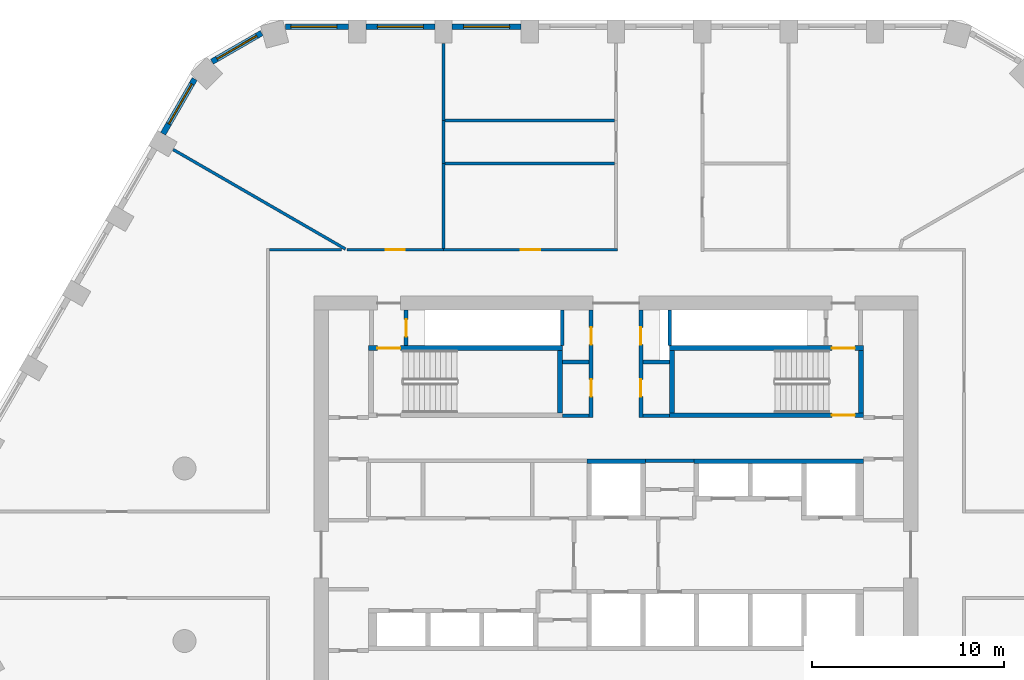
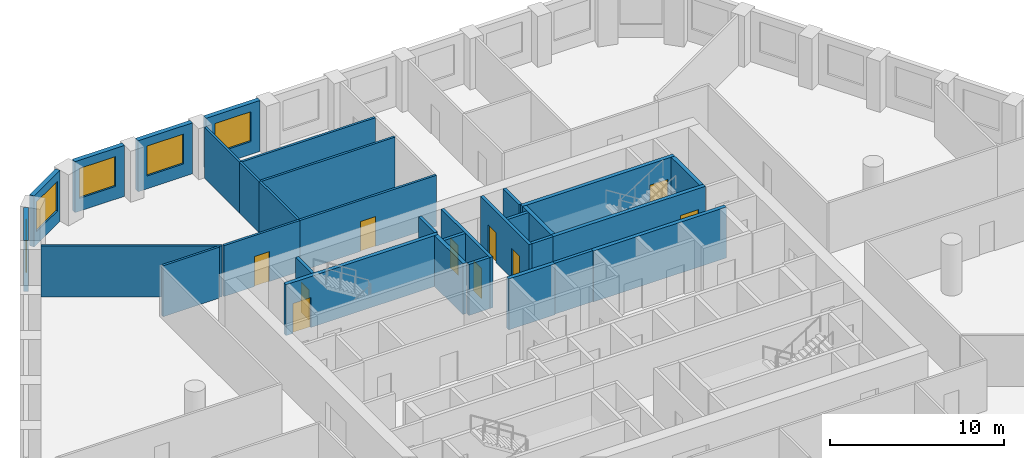
# One storey, part 6 of 9: 32 walls, 10 doors, 5 windows, 15 openings.
"""IFC4 building model written with IfcOpenShell, lengths in metres."""

from ifc_helpers import new_model, si_unit, direction, frame, frame_2d, origin, place, context, subcontext, project, spatial, polyline, rectangle, outline, extrude, material, layer, layer_set, type_object, element, fill, save


model = new_model("IFC4")

# Units and contexts
model_context = context("Model", 3, precision=1e-05, world=origin(), true_north=direction((0.0, 1.0)))
body_context = subcontext(model_context, "Body", "Model", "MODEL_VIEW")
ifc_project = project(units=[si_unit("LENGTHUNIT", "METRE"), si_unit("AREAUNIT", "SQUARE_METRE"), si_unit("VOLUMEUNIT", "CUBIC_METRE"), si_unit("PLANEANGLEUNIT", "RADIAN"), si_unit("MASSUNIT", "GRAM", prefix="KILO")], contexts=[model_context])

# Site, building, storey
site_placement = place(None, origin())
site = spatial("IfcSite", under=ifc_project, at=site_placement, CompositionType="ELEMENT")
building_placement = place(site_placement, origin())
building = spatial("IfcBuilding", under=site, at=building_placement, Name="Dhurran Vertical Campus", CompositionType="ELEMENT")
storey_placement = place(building_placement, frame((0.0, 0.0, 163.800048828125)))
storey = spatial("IfcBuildingStorey", under=building, at=storey_placement, Name="L40", CompositionType="ELEMENT", Elevation=163.800048828125)

# Wall, opening, window
ifc_material_1 = material(Name="Precast concrete C50/60", Category="concrete")
ifc_layer_1 = layer(ifc_material_1, 0.300048828125)
ifc_layer_set_1 = layer_set([ifc_layer_1], Name="Precast concrete C50/60")
wall_type_1 = type_object("IfcWallType", Name="Precast spandrel wall 300", PredefinedType="SOLIDWALL", material=ifc_layer_set_1)
wall_1_placement = place(storey_placement, frame((-4.950439453125, 27.53271484375, 0.0), z_axis=(0.0, 0.0, 1.0), x_axis=(-1.0, 0.0, 0.0)))
wall_1 = element("IfcWall", 1, at=wall_1_placement, inside=storey, type_object=wall_type_1, Name="EW1 L40.28", PredefinedType="SOLIDWALL", context=body_context, shape_type="SweptSolid", body=[
    extrude(rectangle(XDim=3.59912109375, YDim=0.300048828125, at=frame_2d((1.799560546875, 0.0))), origin(), (0.0, 0.0, 1.0), 3.574951171875),
])
opening_1_placement = place(wall_1_placement, frame((0.599609375, 0.0, 0.89990234375)))
opening_1 = element("IfcOpeningElement", 2, at=opening_1_placement, cuts=wall_1, Name="Opening WT1", PredefinedType="OPENING", context=body_context, shape_type="SweptSolid", body=[
    extrude(rectangle(XDim=2.39990234375, YDim=2.10009765625, at=frame_2d((1.199951171875, 1.050048828125))), frame((0.0, 0.159912109375, 0.0), z_axis=(0.0, -1.0, 0.0), x_axis=(1.0, 0.0, 0.0)), (0.0, 0.0, 1.0), 0.320068359375),
])
ifc_material_2 = material(Name="Aluminium frame with solar-control glass", Category="aluminium")
window_type = type_object("IfcWindowType", Name="Punched window 2400 x 2100", PartitioningType="SINGLE_PANEL", PredefinedType="WINDOW", material=ifc_material_2)
window_1_placement = place(opening_1_placement, origin())
window_1 = element("IfcWindow", 3, at=window_1_placement, inside=storey, type_object=window_type, Name="WT1 L40.28", OverallHeight=2.10009765625, OverallWidth=2.39990234375, PartitioningType="SINGLE_PANEL", PredefinedType="WINDOW", context=body_context, shape_type="SweptSolid", body=[
    extrude(rectangle(XDim=2.39990234375, YDim=2.10009765625, at=frame_2d((1.199951171875, 1.050048828125))), frame((0.0, 0.030029296875, 0.0), z_axis=(0.0, -1.0, 0.0), x_axis=(1.0, 0.0, 0.0)), (0.0, 0.0, 1.0), 0.06005859375),
])
fill(opening_1, window_1)

wall_2_placement = place(storey_placement, frame((-9.450439453125, 27.53271484375, 0.0), z_axis=(0.0, 0.0, 1.0), x_axis=(-1.0, 0.0, 0.0)))
wall_2 = element("IfcWall", 4, at=wall_2_placement, inside=storey, type_object=wall_type_1, Name="EW1 L40.29", PredefinedType="SOLIDWALL", context=body_context, shape_type="SweptSolid", body=[
    extrude(rectangle(XDim=3.59912109375, YDim=0.300048828125, at=frame_2d((1.799560546875, 0.0))), origin(), (0.0, 0.0, 1.0), 3.574951171875),
])
opening_2_placement = place(wall_2_placement, frame((0.599609375, 0.0, 0.89990234375)))
opening_2 = element("IfcOpeningElement", 5, at=opening_2_placement, cuts=wall_2, Name="Opening WT1", PredefinedType="OPENING", context=body_context, shape_type="SweptSolid", body=[
    extrude(rectangle(XDim=2.39990234375, YDim=2.10009765625, at=frame_2d((1.199951171875, 1.050048828125))), frame((0.0, 0.159912109375, 0.0), z_axis=(0.0, -1.0, 0.0), x_axis=(1.0, 0.0, 0.0)), (0.0, 0.0, 1.0), 0.320068359375),
])
window_2_placement = place(opening_2_placement, origin())
window_2 = element("IfcWindow", 6, at=window_2_placement, inside=storey, type_object=window_type, Name="WT1 L40.29", OverallHeight=2.10009765625, OverallWidth=2.39990234375, PartitioningType="SINGLE_PANEL", PredefinedType="WINDOW", context=body_context, shape_type="SweptSolid", body=[
    extrude(rectangle(XDim=2.39990234375, YDim=2.10009765625, at=frame_2d((1.199951171875, 1.050048828125))), frame((0.0, 0.030029296875, 0.0), z_axis=(0.0, -1.0, 0.0), x_axis=(1.0, 0.0, 0.0)), (0.0, 0.0, 1.0), 0.06005859375),
])
fill(opening_2, window_2)

wall_3_placement = place(storey_placement, frame((-13.950439453125, 27.53271484375, 0.0), z_axis=(0.0, 0.0, 1.0), x_axis=(-1.0, 0.0, 0.0)))
wall_3 = element("IfcWall", 7, at=wall_3_placement, inside=storey, type_object=wall_type_1, Name="EW1 L40.30", PredefinedType="SOLIDWALL", context=body_context, shape_type="SweptSolid", body=[
    extrude(rectangle(XDim=3.294189453125, YDim=0.300048828125, at=frame_2d((1.64697265625, 0.0))), origin(), (0.0, 0.0, 1.0), 3.574951171875),
])
opening_3_placement = place(wall_3_placement, frame((0.599609375, 0.0, 0.89990234375)))
opening_3 = element("IfcOpeningElement", 8, at=opening_3_placement, cuts=wall_3, Name="Opening WT1", PredefinedType="OPENING", context=body_context, shape_type="SweptSolid", body=[
    extrude(rectangle(XDim=2.39990234375, YDim=2.10009765625, at=frame_2d((1.199951171875, 1.050048828125))), frame((0.0, 0.159912109375, 0.0), z_axis=(0.0, -1.0, 0.0), x_axis=(1.0, 0.0, 0.0)), (0.0, 0.0, 1.0), 0.320068359375),
])
window_3_placement = place(opening_3_placement, origin())
window_3 = element("IfcWindow", 9, at=window_3_placement, inside=storey, type_object=window_type, Name="WT1 L40.30", OverallHeight=2.10009765625, OverallWidth=2.39990234375, PartitioningType="SINGLE_PANEL", PredefinedType="WINDOW", context=body_context, shape_type="SweptSolid", body=[
    extrude(rectangle(XDim=2.39990234375, YDim=2.10009765625, at=frame_2d((1.199951171875, 1.050048828125))), frame((0.0, 0.030029296875, 0.0), z_axis=(0.0, -1.0, 0.0), x_axis=(1.0, 0.0, 0.0)), (0.0, 0.0, 1.0), 0.06005859375),
])
fill(opening_3, window_3)

wall_4_placement = place(storey_placement, frame((-18.479248046875, 27.201904296875, 0.0), z_axis=(0.0, 0.0, 1.0), x_axis=(-0.866012844897, -0.500021752, 0.0)))
wall_4 = element("IfcWall", 10, at=wall_4_placement, inside=storey, type_object=wall_type_1, Name="EW1 L40.31", PredefinedType="SOLIDWALL", context=body_context, shape_type="SweptSolid", body=[
    extrude(rectangle(XDim=2.989013671875, YDim=0.300048828125, at=frame_2d((1.49462890625, 0.0))), origin(), (0.0, 0.0, 1.0), 3.574951171875),
])
opening_4_placement = place(wall_4_placement, frame((0.294677734375, 0.0, 0.89990234375)))
opening_4 = element("IfcOpeningElement", 11, at=opening_4_placement, cuts=wall_4, Name="Opening WT1", PredefinedType="OPENING", context=body_context, shape_type="SweptSolid", body=[
    extrude(rectangle(XDim=2.39990234375, YDim=2.10009765625, at=frame_2d((1.199951171875, 1.050048828125))), frame((0.0, 0.159912109375, 0.0), z_axis=(0.0, -1.0, 0.0), x_axis=(1.0, 0.0, 0.0)), (0.0, 0.0, 1.0), 0.320068359375),
])
window_4_placement = place(opening_4_placement, origin())
window_4 = element("IfcWindow", 12, at=window_4_placement, inside=storey, type_object=window_type, Name="WT1 L40.31", OverallHeight=2.10009765625, OverallWidth=2.39990234375, PartitioningType="SINGLE_PANEL", PredefinedType="WINDOW", context=body_context, shape_type="SweptSolid", body=[
    extrude(rectangle(XDim=2.39990234375, YDim=2.10009765625, at=frame_2d((1.199951171875, 1.050048828125))), frame((0.0, 0.030029296875, 0.0), z_axis=(0.0, -1.0, 0.0), x_axis=(1.0, 0.0, 0.0)), (0.0, 0.0, 1.0), 0.06005859375),
])
fill(opening_4, window_4)

wall_5_placement = place(storey_placement, frame((-21.9716796875, 24.803466796875, 0.0), z_axis=(0.0, 0.0, 1.0), x_axis=(-0.500036802197, -0.866004154983, 0.0)))
wall_5 = element("IfcWall", 13, at=wall_5_placement, inside=storey, type_object=wall_type_1, Name="EW1 L40.32", PredefinedType="SOLIDWALL", context=body_context, shape_type="SweptSolid", body=[
    extrude(rectangle(XDim=3.294189453125, YDim=0.300048828125, at=frame_2d((1.64697265625, 0.0))), origin(), (0.0, 0.0, 1.0), 3.574951171875),
])
opening_5_placement = place(wall_5_placement, frame((0.29443359375, 0.0, 0.89990234375)))
opening_5 = element("IfcOpeningElement", 14, at=opening_5_placement, cuts=wall_5, Name="Opening WT1", PredefinedType="OPENING", context=body_context, shape_type="SweptSolid", body=[
    extrude(rectangle(XDim=2.39990234375, YDim=2.10009765625, at=frame_2d((1.199951171875, 1.050048828125))), frame((0.0, 0.159912109375, 0.0), z_axis=(0.0, -1.0, 0.0), x_axis=(1.0, 0.0, 0.0)), (0.0, 0.0, 1.0), 0.320068359375),
])
window_5_placement = place(opening_5_placement, origin())
window_5 = element("IfcWindow", 15, at=window_5_placement, inside=storey, type_object=window_type, Name="WT1 L40.32", OverallHeight=2.10009765625, OverallWidth=2.39990234375, PartitioningType="SINGLE_PANEL", PredefinedType="WINDOW", context=body_context, shape_type="SweptSolid", body=[
    extrude(rectangle(XDim=2.39990234375, YDim=2.10009765625, at=frame_2d((1.199951171875, 1.050048828125))), frame((0.0, 0.030029296875, 0.0), z_axis=(0.0, -1.0, 0.0), x_axis=(1.0, 0.0, 0.0)), (0.0, 0.0, 1.0), 0.06005859375),
])
fill(opening_5, window_5)

# Walls
ifc_material_3 = material(Name="Fire-rated masonry blockwork", Category="masonry")
ifc_layer_2 = layer(ifc_material_3, 0.199951171875)
ifc_layer_set_2 = layer_set([ifc_layer_2], Name="Fire-rated masonry blockwork")
wall_type_2 = type_object("IfcWallType", Name="co-FIRE-PARTITION-200", PredefinedType="PARTITIONING", material=ifc_layer_set_2)
for number, where, z_axis, x_axis, name in (
    (16, (-2.800048828125, 7.25, 0.0), (0.0, 0.0, 1.0), (1.0, 0.0, 0.0), "Core partition sl-NW-S L40"),
    (17, (-2.800048828125, 10.050048828125, 0.0), (0.0, 0.0, 1.0), (1.0, 0.0, 0.0), "Core partition sl-NW-cut0 L40"),
    (18, (1.39990234375, 7.25, 0.0), (0.0, 0.0, 1.0), (1.0, 0.0, 0.0), "Core partition sl-NE-S L40"),
    (19, (1.39990234375, 10.050048828125, 0.0), (0.0, 0.0, 1.0), (1.0, 0.0, 0.0), "Core partition sl-NE-cut0 L40"),
):
    element("IfcWall", number, at=place(storey_placement, frame(where, z_axis=z_axis, x_axis=x_axis)), inside=storey, type_object=wall_type_2, Name=name, PredefinedType="PARTITIONING", context=body_context, shape_type="SweptSolid", body=[
        extrude(rectangle(XDim=1.400146484375, YDim=0.199951171875, at=frame_2d((0.7001953125, 0.0))), origin(), (0.0, 0.0, 1.0), 3.574951171875),
    ])

# Wall, openings, doors
wall_6_placement = place(storey_placement, frame((-1.300048828125, 7.14990234375, 0.0), z_axis=(0.0, 0.0, 1.0), x_axis=(0.0, 1.0, 0.0)))
wall_6 = element("IfcWall", 20, at=wall_6_placement, inside=storey, type_object=wall_type_2, Name="Core partition vest-NW L40", PredefinedType="PARTITIONING", context=body_context, shape_type="SweptSolid", body=[
    extrude(rectangle(XDim=5.60009765625, YDim=0.199951171875, at=frame_2d((2.800048828125, 0.0))), origin(), (0.0, 0.0, 1.0), 3.574951171875),
])
opening_6_placement = place(wall_6_placement, frame((1.10009765625, 0.0, 0.0)))
opening_6 = element("IfcOpeningElement", 21, at=opening_6_placement, cuts=wall_6, Name="Opening T11-C4", PredefinedType="OPENING", context=body_context, shape_type="SweptSolid", body=[
    extrude(rectangle(XDim=0.89990234375, YDim=2.10009765625, at=frame_2d((0.449951171875, 1.050048828125))), frame((0.0, 0.10986328125, 0.0), z_axis=(0.0, -1.0, 0.0), x_axis=(1.0, 0.0, 0.0)), (0.0, 0.0, 1.0), 0.219970703125),
])
opening_7_placement = place(wall_6_placement, frame((3.800048828125, 0.0, 0.0)))
opening_7 = element("IfcOpeningElement", 22, at=opening_7_placement, cuts=wall_6, Name="Opening T11-C5", PredefinedType="OPENING", context=body_context, shape_type="SweptSolid", body=[
    extrude(rectangle(XDim=0.89990234375, YDim=2.10009765625, at=frame_2d((0.449951171875, 1.050048828125))), frame((0.0, 0.10986328125, 0.0), z_axis=(0.0, -1.0, 0.0), x_axis=(1.0, 0.0, 0.0)), (0.0, 0.0, 1.0), 0.219970703125),
])
ifc_material_4 = material(Name="Fire-rated timber door set", Category="wood")
door_type_1 = type_object("IfcDoorType", Name="co-D-ROOM 900x2100", OperationType="SINGLE_SWING_LEFT", PredefinedType="DOOR", material=ifc_material_4)
door_1_placement = place(opening_6_placement, origin())
door_1 = element("IfcDoor", 23, at=door_1_placement, inside=storey, type_object=door_type_1, Name="Print room door L40", OperationType="SINGLE_SWING_LEFT", OverallHeight=2.10009765625, OverallWidth=0.89990234375, PredefinedType="DOOR", context=body_context, shape_type="SweptSolid", body=[
    extrude(rectangle(XDim=0.89990234375, YDim=2.10009765625, at=frame_2d((0.449951171875, 1.050048828125))), frame((0.0, 0.02490234375, 0.0), z_axis=(0.0, -1.0, 0.0), x_axis=(1.0, 0.0, 0.0)), (0.0, 0.0, 1.0), 0.050048828125),
])
fill(opening_6, door_1)
door_2_placement = place(opening_7_placement, origin())
door_2 = element("IfcDoor", 24, at=door_2_placement, inside=storey, type_object=door_type_1, Name="Fire equipment store door L40", OperationType="SINGLE_SWING_LEFT", OverallHeight=2.10009765625, OverallWidth=0.89990234375, PredefinedType="DOOR", context=body_context, shape_type="SweptSolid", body=[
    extrude(rectangle(XDim=0.89990234375, YDim=2.10009765625, at=frame_2d((0.449951171875, 1.050048828125))), frame((0.0, 0.02490234375, 0.0), z_axis=(0.0, -1.0, 0.0), x_axis=(1.0, 0.0, 0.0)), (0.0, 0.0, 1.0), 0.050048828125),
])
fill(opening_7, door_2)

wall_7_placement = place(storey_placement, frame((1.300048828125, 7.14990234375, 0.0), z_axis=(0.0, 0.0, 1.0), x_axis=(0.0, 1.0, 0.0)))
wall_7 = element("IfcWall", 25, at=wall_7_placement, inside=storey, type_object=wall_type_2, Name="Core partition vest-NE L40", PredefinedType="PARTITIONING", context=body_context, shape_type="SweptSolid", body=[
    extrude(rectangle(XDim=5.60009765625, YDim=0.199951171875, at=frame_2d((2.800048828125, 0.0))), origin(), (0.0, 0.0, 1.0), 3.574951171875),
])
opening_8_placement = place(wall_7_placement, frame((1.10009765625, 0.0, 0.0)))
opening_8 = element("IfcOpeningElement", 26, at=opening_8_placement, cuts=wall_7, Name="Opening T11-C6", PredefinedType="OPENING", context=body_context, shape_type="SweptSolid", body=[
    extrude(rectangle(XDim=0.89990234375, YDim=2.10009765625, at=frame_2d((0.449951171875, 1.050048828125))), frame((0.0, 0.10986328125, 0.0), z_axis=(0.0, -1.0, 0.0), x_axis=(1.0, 0.0, 0.0)), (0.0, 0.0, 1.0), 0.219970703125),
])
opening_9_placement = place(wall_7_placement, frame((3.800048828125, 0.0, 0.0)))
opening_9 = element("IfcOpeningElement", 27, at=opening_9_placement, cuts=wall_7, Name="Opening T11-C7", PredefinedType="OPENING", context=body_context, shape_type="SweptSolid", body=[
    extrude(rectangle(XDim=0.89990234375, YDim=2.10009765625, at=frame_2d((0.449951171875, 1.050048828125))), frame((0.0, 0.10986328125, 0.0), z_axis=(0.0, -1.0, 0.0), x_axis=(1.0, 0.0, 0.0)), (0.0, 0.0, 1.0), 0.219970703125),
])
door_3_placement = place(opening_8_placement, origin())
door_3 = element("IfcDoor", 28, at=door_3_placement, inside=storey, type_object=door_type_1, Name="Pantry door L40", OperationType="SINGLE_SWING_LEFT", OverallHeight=2.10009765625, OverallWidth=0.89990234375, PredefinedType="DOOR", context=body_context, shape_type="SweptSolid", body=[
    extrude(rectangle(XDim=0.89990234375, YDim=2.10009765625, at=frame_2d((0.449951171875, 1.050048828125))), frame((0.0, 0.02490234375, 0.0), z_axis=(0.0, -1.0, 0.0), x_axis=(1.0, 0.0, 0.0)), (0.0, 0.0, 1.0), 0.050048828125),
])
fill(opening_8, door_3)
door_4_placement = place(opening_9_placement, origin())
door_4 = element("IfcDoor", 29, at=door_4_placement, inside=storey, type_object=door_type_1, Name="Water riser door L40", OperationType="SINGLE_SWING_LEFT", OverallHeight=2.10009765625, OverallWidth=0.89990234375, PredefinedType="DOOR", context=body_context, shape_type="SweptSolid", body=[
    extrude(rectangle(XDim=0.89990234375, YDim=2.10009765625, at=frame_2d((0.449951171875, 1.050048828125))), frame((0.0, 0.02490234375, 0.0), z_axis=(0.0, -1.0, 0.0), x_axis=(1.0, 0.0, 0.0)), (0.0, 0.0, 1.0), 0.050048828125),
])
fill(opening_9, door_4)

# Wall, opening, door
wall_8_placement = place(storey_placement, frame((-10.949951171875, 10.89990234375, 0.0), z_axis=(0.0, 0.0, 1.0), x_axis=(0.0, 1.0, 0.0)))
wall_8 = element("IfcWall", 30, at=wall_8_placement, inside=storey, type_object=wall_type_2, Name="Core partition pass-ST1-i L40", PredefinedType="PARTITIONING", context=body_context, shape_type="SweptSolid", body=[
    extrude(rectangle(XDim=1.85009765625, YDim=0.199951171875, at=frame_2d((0.925048828125, 0.0))), origin(), (0.0, 0.0, 1.0), 3.574951171875),
])
opening_10_placement = place(wall_8_placement, frame((0.47509765625, 0.0, 0.0)))
opening_10 = element("IfcOpeningElement", 31, at=opening_10_placement, cuts=wall_8, Name="Opening T11-C8", PredefinedType="OPENING", context=body_context, shape_type="SweptSolid", body=[
    extrude(rectangle(XDim=0.89990234375, YDim=2.10009765625, at=frame_2d((0.449951171875, 1.050048828125))), frame((0.0, 0.10986328125, 0.0), z_axis=(0.0, -1.0, 0.0), x_axis=(1.0, 0.0, 0.0)), (0.0, 0.0, 1.0), 0.219970703125),
])
door_5_placement = place(opening_10_placement, origin())
door_5 = element("IfcDoor", 32, at=door_5_placement, inside=storey, type_object=door_type_1, Name="Riser room door L40", OperationType="SINGLE_SWING_LEFT", OverallHeight=2.10009765625, OverallWidth=0.89990234375, PredefinedType="DOOR", context=body_context, shape_type="SweptSolid", body=[
    extrude(rectangle(XDim=0.89990234375, YDim=2.10009765625, at=frame_2d((0.449951171875, 1.050048828125))), frame((0.0, 0.02490234375, 0.0), z_axis=(0.0, -1.0, 0.0), x_axis=(1.0, 0.0, 0.0)), (0.0, 0.0, 1.0), 0.050048828125),
])
fill(opening_10, door_5)

# Walls
wall_9_placement = place(storey_placement, frame((1.52490234375, 4.89990234375, 0.0), z_axis=(0.0, 0.0, 1.0), x_axis=(1.0, 0.0, 0.0)))
element("IfcWall", 33, at=wall_9_placement, inside=storey, type_object=wall_type_2, Name="Core partition fr-N1-b L40", PredefinedType="PARTITIONING", context=body_context, shape_type="SweptSolid", body=[
    extrude(rectangle(XDim=2.550048828125, YDim=0.199951171875, at=frame_2d((1.27490234375, 0.0))), origin(), (0.0, 0.0, 1.0), 3.574951171875),
])
for number, where, z_axis, x_axis, name in (
    (34, (-2.800048828125, 10.90087890625, 0.0), (0.0, 0.0, 1.0), (0.0, 1.0, 0.0), "Riser enclosure wall L40"),
    (35, (2.800048828125, 10.90087890625, 0.0), (0.0, 0.0, 1.0), (0.0, 1.0, 0.0), "Riser enclosure wall L40"),
):
    element("IfcWall", number, at=place(storey_placement, frame(where, z_axis=z_axis, x_axis=x_axis)), inside=storey, type_object=wall_type_2, Name=name, PredefinedType="PARTITIONING", context=body_context, shape_type="SweptSolid", body=[
        extrude(rectangle(XDim=1.84814453125, YDim=0.199951171875, at=frame_2d((0.924072265625, 0.0))), origin(), (0.0, 0.0, 1.0), 3.574951171875),
    ])
ifc_material_5 = material(Name="Concrete C50/60", Category="concrete")
ifc_layer_3 = layer(ifc_material_5, 0.25)
ifc_layer_set_3 = layer_set([ifc_layer_3], Name="Concrete C50/60")
wall_type_3 = type_object("IfcWallType", Name="co-SHAFT-MASS-250", PredefinedType="SHEAR", material=ifc_layer_set_3)
wall_10_placement = place(storey_placement, origin())
element("IfcWall", 36, at=wall_10_placement, inside=storey, type_object=wall_type_3, Name="Lift shaft wall N L40 1", PredefinedType="SHEAR", context=body_context, shape_type="SweptSolid", body=[
    extrude(outline(polyline([(-1.52490234375, 4.75), (1.52490234375, 4.75), (1.52490234375, 5.0), (-1.52490234375, 5.0), (-1.52490234375, 4.75)])), origin(), (0.0, 0.0, 1.0), 3.574951171875),
])
wall_11_placement = place(storey_placement, origin())
element("IfcWall", 37, at=wall_11_placement, inside=storey, type_object=wall_type_3, Name="Lift shaft wall N L40 2", PredefinedType="SHEAR", context=body_context, shape_type="SweptSolid", body=[
    extrude(outline(polyline([(4.074951171875, 4.75), (12.89990234375, 4.75), (12.89990234375, 5.0), (4.074951171875, 5.0), (4.074951171875, 4.75)])), origin(), (0.0, 0.0, 1.0), 3.574951171875),
])

# Wall, opening, door
ifc_material_6 = material(Name="Concrete C40/50", Category="concrete")
ifc_layer_4 = layer(ifc_material_6, 0.25)
ifc_layer_set_4 = layer_set([ifc_layer_4], Name="Concrete C40/50")
wall_type_4 = type_object("IfcWallType", Name="co-STAIR-WALL-250", PredefinedType="SHEAR", material=ifc_layer_set_4)
wall_12_placement = place(storey_placement, frame((-12.89990234375, 10.77490234375, 0.0), z_axis=(0.0, 0.0, 1.0), x_axis=(1.0, 0.0, 0.0)))
wall_12 = element("IfcWall", 38, at=wall_12_placement, inside=storey, type_object=wall_type_4, Name="Stair ST1 enclosure wall L40", PredefinedType="SHEAR", context=body_context, shape_type="SweptSolid", body=[
    extrude(rectangle(XDim=10.099853515625, YDim=0.25, at=frame_2d((5.0498046875, 0.0))), origin(), (0.0, 0.0, 1.0), 3.574951171875),
])
opening_11_placement = place(wall_12_placement, frame((0.449951171875, 0.0, 0.0)))
opening_11 = element("IfcOpeningElement", 39, at=opening_11_placement, cuts=wall_12, Name="Opening XS1", PredefinedType="OPENING", context=body_context, shape_type="SweptSolid", body=[
    extrude(rectangle(XDim=1.199951171875, YDim=2.10009765625, at=frame_2d((0.60009765625, 1.050048828125))), frame((0.0, 0.135009765625, 0.0), z_axis=(0.0, -1.0, 0.0), x_axis=(1.0, 0.0, 0.0)), (0.0, 0.0, 1.0), 0.27001953125),
])
ifc_material_7 = material(Name="Fire-rated steel door set", Category="steel")
door_type_2 = type_object("IfcDoorType", Name="co-D-STAIR-EXIT 1200x2100", OperationType="SINGLE_SWING_RIGHT", PredefinedType="DOOR", material=ifc_material_7)
door_6_placement = place(opening_11_placement, origin())
door_6 = element("IfcDoor", 40, at=door_6_placement, inside=storey, type_object=door_type_2, Name="Stair ST1 discharge door L40", OperationType="SINGLE_SWING_RIGHT", OverallHeight=2.10009765625, OverallWidth=1.199951171875, PredefinedType="DOOR", context=body_context, shape_type="SweptSolid", body=[
    extrude(rectangle(XDim=1.199951171875, YDim=2.10009765625, at=frame_2d((0.60009765625, 1.050048828125))), frame((0.0, 0.02490234375, 0.0), z_axis=(0.0, -1.0, 0.0), x_axis=(1.0, 0.0, 0.0)), (0.0, 0.0, 1.0), 0.050048828125),
])
fill(opening_11, door_6)

# Wall
wall_13_placement = place(storey_placement, frame((-2.925048828125, 7.39990234375, 0.0), z_axis=(0.0, 0.0, 1.0), x_axis=(0.0, 1.0, 0.0)))
element("IfcWall", 41, at=wall_13_placement, inside=storey, type_object=wall_type_4, Name="Stair ST1 enclosure wall L40", PredefinedType="SHEAR", context=body_context, shape_type="SweptSolid", body=[
    extrude(rectangle(XDim=3.25, YDim=0.25, at=frame_2d((1.625, 0.0))), origin(), (0.0, 0.0, 1.0), 3.574951171875),
])

# Wall, opening, door
wall_14_placement = place(storey_placement, frame((2.800048828125, 7.27490234375, 0.0), z_axis=(0.0, 0.0, 1.0), x_axis=(1.0, 0.0, 0.0)))
wall_14 = element("IfcWall", 42, at=wall_14_placement, inside=storey, type_object=wall_type_4, Name="Stair ST2 enclosure wall L40", PredefinedType="SHEAR", context=body_context, shape_type="SweptSolid", body=[
    extrude(rectangle(XDim=10.099853515625, YDim=0.25, at=frame_2d((5.0498046875, 0.0))), origin(), (0.0, 0.0, 1.0), 3.574951171875),
])
opening_12_placement = place(wall_14_placement, frame((8.449951171875, 0.0, 0.0)))
opening_12 = element("IfcOpeningElement", 43, at=opening_12_placement, cuts=wall_14, Name="Opening SD2", PredefinedType="OPENING", context=body_context, shape_type="SweptSolid", body=[
    extrude(rectangle(XDim=1.199951171875, YDim=2.10009765625, at=frame_2d((0.60009765625, 1.050048828125))), frame((0.0, 0.135009765625, 0.0), z_axis=(0.0, -1.0, 0.0), x_axis=(1.0, 0.0, 0.0)), (0.0, 0.0, 1.0), 0.27001953125),
])
ifc_material_8 = material(Name="Fire-rated steel door set", Category="steel")
door_type_3 = type_object("IfcDoorType", Name="co-D-STAIR 1200x2100", OperationType="SINGLE_SWING_LEFT", PredefinedType="DOOR", material=ifc_material_8)
door_7_placement = place(opening_12_placement, origin())
door_7 = element("IfcDoor", 44, at=door_7_placement, inside=storey, type_object=door_type_3, Name="Stair ST2 door L40", OperationType="SINGLE_SWING_LEFT", OverallHeight=2.10009765625, OverallWidth=1.199951171875, PredefinedType="DOOR", context=body_context, shape_type="SweptSolid", body=[
    extrude(rectangle(XDim=1.199951171875, YDim=2.10009765625, at=frame_2d((0.60009765625, 1.050048828125))), frame((0.0, 0.02490234375, 0.0), z_axis=(0.0, -1.0, 0.0), x_axis=(1.0, 0.0, 0.0)), (0.0, 0.0, 1.0), 0.050048828125),
])
fill(opening_12, door_7)

wall_15_placement = place(storey_placement, frame((2.800048828125, 10.77490234375, 0.0), z_axis=(0.0, 0.0, 1.0), x_axis=(1.0, 0.0, 0.0)))
wall_15 = element("IfcWall", 45, at=wall_15_placement, inside=storey, type_object=wall_type_4, Name="Stair ST2 enclosure wall L40", PredefinedType="SHEAR", context=body_context, shape_type="SweptSolid", body=[
    extrude(rectangle(XDim=10.099853515625, YDim=0.25, at=frame_2d((5.0498046875, 0.0))), origin(), (0.0, 0.0, 1.0), 3.574951171875),
])
opening_13_placement = place(wall_15_placement, frame((8.449951171875, 0.0, 0.0)))
opening_13 = element("IfcOpeningElement", 46, at=opening_13_placement, cuts=wall_15, Name="Opening XS2", PredefinedType="OPENING", context=body_context, shape_type="SweptSolid", body=[
    extrude(rectangle(XDim=1.199951171875, YDim=2.10009765625, at=frame_2d((0.60009765625, 1.050048828125))), frame((0.0, 0.135009765625, 0.0), z_axis=(0.0, -1.0, 0.0), x_axis=(1.0, 0.0, 0.0)), (0.0, 0.0, 1.0), 0.27001953125),
])
door_8_placement = place(opening_13_placement, origin())
door_8 = element("IfcDoor", 47, at=door_8_placement, inside=storey, type_object=door_type_2, Name="Stair ST2 discharge door L40", OperationType="SINGLE_SWING_RIGHT", OverallHeight=2.10009765625, OverallWidth=1.199951171875, PredefinedType="DOOR", context=body_context, shape_type="SweptSolid", body=[
    extrude(rectangle(XDim=1.199951171875, YDim=2.10009765625, at=frame_2d((0.60009765625, 1.050048828125))), frame((0.0, 0.02490234375, 0.0), z_axis=(0.0, -1.0, 0.0), x_axis=(1.0, 0.0, 0.0)), (0.0, 0.0, 1.0), 0.050048828125),
])
fill(opening_13, door_8)

# Walls
for number, where, z_axis, x_axis, name in (
    (48, (2.925048828125, 7.39990234375, 0.0), (0.0, 0.0, 1.0), (0.0, 1.0, 0.0), "Stair ST2 enclosure wall L40"),
    (49, (12.77490234375, 7.39990234375, 0.0), (0.0, 0.0, 1.0), (0.0, 1.0, 0.0), "Stair ST2 enclosure wall L40"),
):
    element("IfcWall", number, at=place(storey_placement, frame(where, z_axis=z_axis, x_axis=x_axis)), inside=storey, type_object=wall_type_4, Name=name, PredefinedType="SHEAR", context=body_context, shape_type="SweptSolid", body=[
        extrude(rectangle(XDim=3.25, YDim=0.25, at=frame_2d((1.625, 0.0))), origin(), (0.0, 0.0, 1.0), 3.574951171875),
    ])
ifc_material_9 = material(Name="Gypsum board corridor wall on steel studs", Category="steel")
ifc_layer_5 = layer(ifc_material_9, 0.14990234375)
ifc_layer_set_5 = layer_set([ifc_layer_5], Name="Gypsum board corridor wall on steel studs")
wall_type_5 = type_object("IfcWallType", Name="fl-CW-150 corridor wall", PredefinedType="PARTITIONING", material=ifc_layer_set_5)
wall_16_placement = place(storey_placement, frame((-14.31494140625, 15.89990234375, 0.0), z_axis=(0.0, 0.0, 1.0), x_axis=(-1.0, 0.0, 0.0)))
element("IfcWall", 50, at=wall_16_placement, inside=storey, type_object=wall_type_5, Name="Partition 40-10", PredefinedType="PARTITIONING", context=body_context, shape_type="SweptSolid", body=[
    extrude(rectangle(XDim=3.760009765625, YDim=0.14990234375, at=frame_2d((1.8798828125, 0.0))), origin(), (0.0, 0.0, 1.0), 3.574951171875),
])

# Wall, opening, door
wall_17_placement = place(storey_placement, frame((-9.0, 15.89990234375, 0.0), z_axis=(0.0, 0.0, 1.0), x_axis=(-1.0, 0.0, 0.0)))
wall_17 = element("IfcWall", 51, at=wall_17_placement, inside=storey, type_object=wall_type_5, Name="Partition 40-11", PredefinedType="PARTITIONING", context=body_context, shape_type="SweptSolid", body=[
    extrude(rectangle(XDim=5.0400390625, YDim=0.14990234375, at=frame_2d((2.52001953125, 0.0))), origin(), (0.0, 0.0, 1.0), 3.574951171875),
])
opening_14_placement = place(wall_17_placement, frame((2.02001953125, 0.0, 0.0)))
opening_14 = element("IfcOpeningElement", 52, at=opening_14_placement, cuts=wall_17, Name="Opening T11.04", PredefinedType="OPENING", context=body_context, shape_type="SweptSolid", body=[
    extrude(rectangle(XDim=1.0, YDim=2.10009765625, at=frame_2d((0.5, 1.050048828125))), frame((0.0, 0.0849609375, 0.0), z_axis=(0.0, -1.0, 0.0), x_axis=(1.0, 0.0, 0.0)), (0.0, 0.0, 1.0), 0.169921875),
])
ifc_material_10 = material(Name="Solid-core timber door set, fire-rated", Category="wood")
door_type_4 = type_object("IfcDoorType", Name="fl-D-1000x2100", OperationType="SINGLE_SWING_LEFT", PredefinedType="DOOR", material=ifc_material_10)
door_9_placement = place(opening_14_placement, origin())
door_9 = element("IfcDoor", 53, at=door_9_placement, inside=storey, type_object=door_type_4, Name="Door 40.04", OperationType="SINGLE_SWING_LEFT", OverallHeight=2.10009765625, OverallWidth=1.0, PredefinedType="DOOR", context=body_context, shape_type="SweptSolid", body=[
    extrude(rectangle(XDim=1.0, YDim=2.10009765625, at=frame_2d((0.5, 1.050048828125))), frame((0.0, 0.02490234375, 0.0), z_axis=(0.0, -1.0, 0.0), x_axis=(1.0, 0.0, 0.0)), (0.0, 0.0, 1.0), 0.050048828125),
])
fill(opening_14, door_9)

wall_18_placement = place(storey_placement, frame((0.074951171875, 15.89990234375, 0.0), z_axis=(0.0, 0.0, 1.0), x_axis=(-1.0, 0.0, 0.0)))
wall_18 = element("IfcWall", 54, at=wall_18_placement, inside=storey, type_object=wall_type_5, Name="Partition 40-16", PredefinedType="PARTITIONING", context=body_context, shape_type="SweptSolid", body=[
    extrude(rectangle(XDim=9.074951171875, YDim=0.14990234375, at=frame_2d((4.53759765625, 0.0))), origin(), (0.0, 0.0, 1.0), 3.574951171875),
])
opening_15_placement = place(wall_18_placement, frame((4.03759765625, 0.0, 0.0)))
opening_15 = element("IfcOpeningElement", 55, at=opening_15_placement, cuts=wall_18, Name="Opening T11.06", PredefinedType="OPENING", context=body_context, shape_type="SweptSolid", body=[
    extrude(rectangle(XDim=1.0, YDim=2.10009765625, at=frame_2d((0.5, 1.050048828125))), frame((0.0, 0.0849609375, 0.0), z_axis=(0.0, -1.0, 0.0), x_axis=(1.0, 0.0, 0.0)), (0.0, 0.0, 1.0), 0.169921875),
])
door_10_placement = place(opening_15_placement, origin())
door_10 = element("IfcDoor", 56, at=door_10_placement, inside=storey, type_object=door_type_4, Name="Door 40.06", OperationType="SINGLE_SWING_RIGHT", OverallHeight=2.10009765625, OverallWidth=1.0, PredefinedType="DOOR", context=body_context, shape_type="SweptSolid", body=[
    extrude(rectangle(XDim=1.0, YDim=2.10009765625, at=frame_2d((0.5, 1.050048828125))), frame((0.0, 0.02490234375, 0.0), z_axis=(0.0, -1.0, 0.0), x_axis=(1.0, 0.0, 0.0)), (0.0, 0.0, 1.0), 0.050048828125),
])
fill(opening_15, door_10)

# Walls
ifc_material_11 = material(Name="Folding acoustic partition panels")
ifc_layer_6 = layer(ifc_material_11, 0.14990234375)
ifc_layer_set_6 = layer_set([ifc_layer_6], Name="Folding acoustic partition panels")
wall_type_6 = type_object("IfcWallType", Name="fl-MW-150 movable partition", PredefinedType="MOVABLE", material=ifc_layer_set_6)
wall_19_placement = place(storey_placement, frame((-9.0, 26.66259765625, 0.0), z_axis=(0.0, 0.0, 1.0), x_axis=(0.0, -1.0, 0.0)))
element("IfcWall", 57, at=wall_19_placement, inside=storey, type_object=wall_type_6, Name="Partition 40-19", PredefinedType="MOVABLE", context=body_context, shape_type="SweptSolid", body=[
    extrude(rectangle(XDim=4.0126953125, YDim=0.14990234375, at=frame_2d((2.00634765625, 0.0))), origin(), (0.0, 0.0, 1.0), 3.574951171875),
])
ifc_material_12 = material(Name="Gypsum board partition on steel studs", Category="steel")
ifc_layer_7 = layer(ifc_material_12, 0.14990234375)
ifc_layer_set_7 = layer_set([ifc_layer_7], Name="Gypsum board partition on steel studs")
wall_type_7 = type_object("IfcWallType", Name="fl-PW-150 fixed partition", PredefinedType="PARTITIONING", material=ifc_layer_set_7)
wall_20_placement = place(storey_placement, frame((-23.09033203125, 21.1259765625, 0.0), z_axis=(0.0, 0.0, 1.0), x_axis=(0.86599279096, -0.500056482814, 0.0)))
element("IfcWall", 58, at=wall_20_placement, inside=storey, type_object=wall_type_7, Name="Partition 40-04", PredefinedType="PARTITIONING", context=body_context, shape_type="SweptSolid", body=[
    extrude(rectangle(XDim=10.375732421875, YDim=0.14990234375, at=frame_2d((5.18798828125, 0.0))), origin(), (0.0, 0.0, 1.0), 3.574951171875),
])
wall_21_placement = place(storey_placement, frame((-9.0, 20.39990234375, 0.0), z_axis=(0.0, 0.0, 1.0), x_axis=(0.0, -1.0, 0.0)))
element("IfcWall", 59, at=wall_21_placement, inside=storey, type_object=wall_type_7, Name="Partition 40-15", PredefinedType="PARTITIONING", context=body_context, shape_type="SweptSolid", body=[
    extrude(rectangle(XDim=4.4248046875, YDim=0.14990234375, at=frame_2d((2.21240234375, 0.0))), origin(), (0.0, 0.0, 1.0), 3.574951171875),
])
wall_22_placement = place(storey_placement, frame((-9.0, 22.64990234375, 0.0), z_axis=(0.0, 0.0, 1.0), x_axis=(0.0, -1.0, 0.0)))
element("IfcWall", 60, at=wall_22_placement, inside=storey, type_object=wall_type_7, Name="Partition 40-17", PredefinedType="PARTITIONING", context=body_context, shape_type="SweptSolid", body=[
    extrude(rectangle(XDim=2.25, YDim=0.14990234375, at=frame_2d((1.125, 0.0))), origin(), (0.0, 0.0, 1.0), 3.574951171875),
])
for number, where, z_axis, x_axis, name in (
    (61, (-8.925048828125, 20.39990234375, 0.0), (0.0, 0.0, 1.0), (1.0, 0.0, 0.0), "Partition 40-18"),
    (62, (-8.925048828125, 22.64990234375, 0.0), (0.0, 0.0, 1.0), (1.0, 0.0, 0.0), "Partition 40-20"),
):
    element("IfcWall", number, at=place(storey_placement, frame(where, z_axis=z_axis, x_axis=x_axis)), inside=storey, type_object=wall_type_7, Name=name, PredefinedType="PARTITIONING", context=body_context, shape_type="SweptSolid", body=[
        extrude(rectangle(XDim=8.85009765625, YDim=0.14990234375, at=frame_2d((4.425048828125, 0.0))), origin(), (0.0, 0.0, 1.0), 3.574951171875),
    ])

save(model, "model.ifc")
